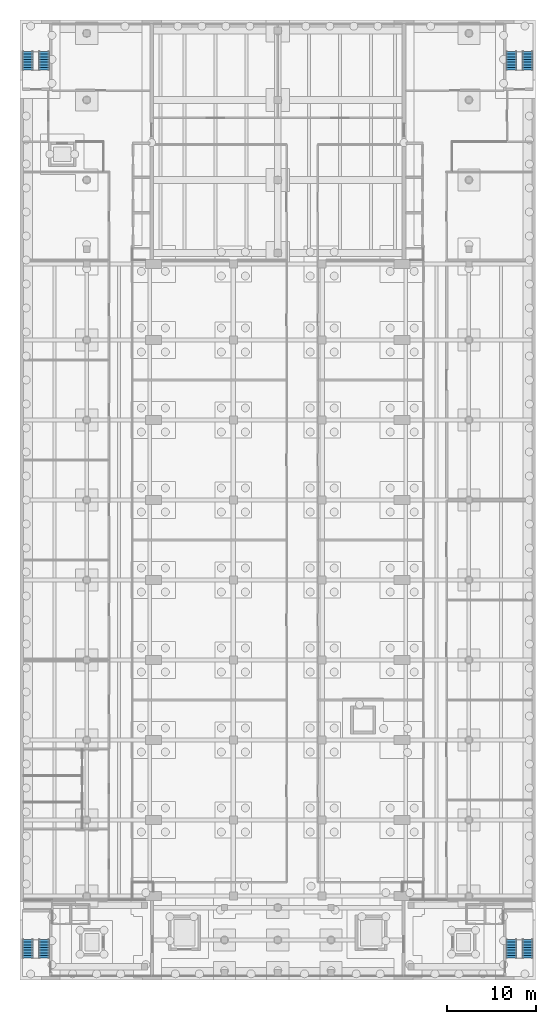
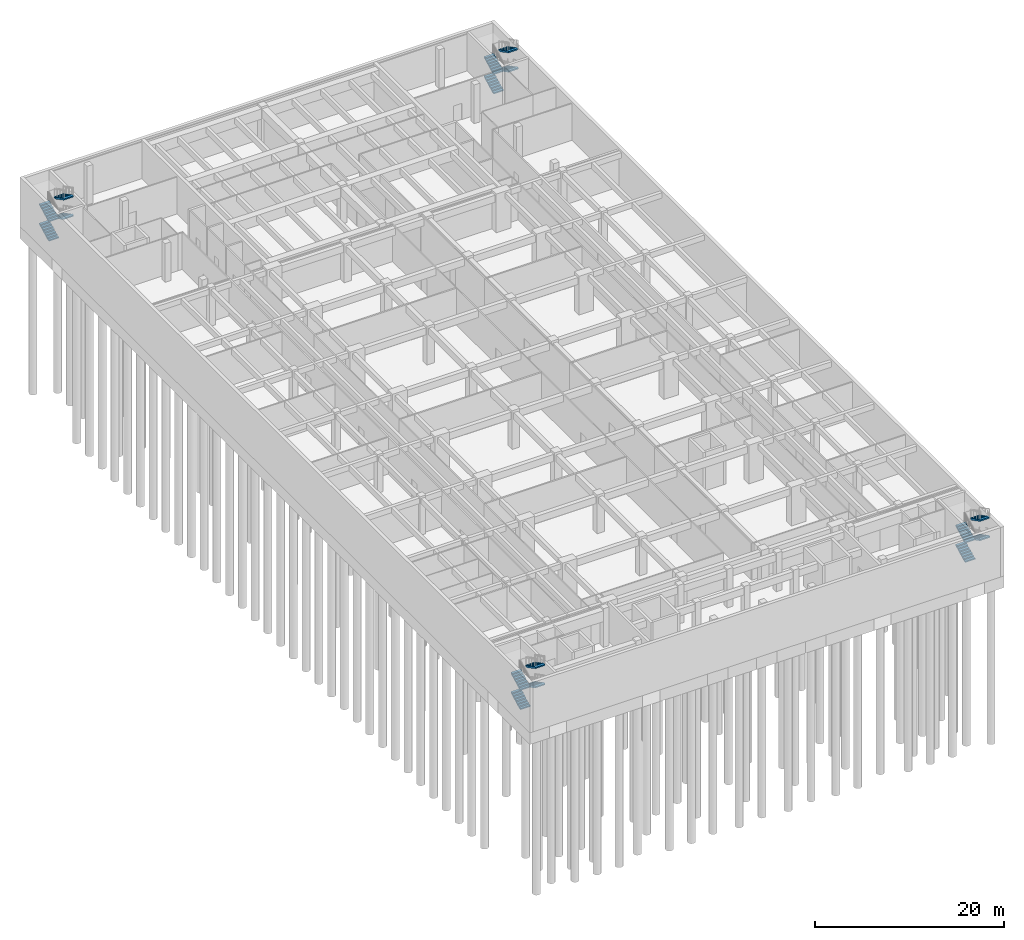
# One storey, part 16 of 19: 16 stair flights, 4 elements without a shape of their own.
"""IFC4 building model written with IfcOpenShell, lengths in metres."""

import ifcopenshell
import ifcopenshell.guid

model = None  # the IFC model being written
_history = None  # IfcOwnerHistory: only IFC2X3 demands one
_inside = {}  # id of a spatial element -> (the spatial element, [elements in it])
_under = {}  # id of a project, library or spatial element -> (it, [spatial elements below it])
_declared = {}  # id of a project -> (the project, [libraries it declares])
_typed = {}  # id of a type object -> (the type object, [elements of that type])
_made_of = {}  # id of a material, layer set ... -> (it, [elements and type objects made of it])


def new_model(schema):
    """Start an empty IFC model of exactly this schema.

    Asked for "IFC4X3", IfcOpenShell would pick the latest addendum, in which some entities
    have other attributes; the version numbers below select the first issue.
    IFC2X3 requires an IfcOwnerHistory on every rooted entity: one is made here for all.
    """
    global model, _history
    if schema == "IFC4X3":
        model = ifcopenshell.file(schema_version=(4, 3, 0, 0))
    else:
        model = ifcopenshell.file(schema=schema)
    _inside.clear()
    _under.clear()
    _declared.clear()
    _typed.clear()
    _made_of.clear()
    _history = None
    if model.schema == "IFC2X3":
        org = make("IfcOrganization", Name="unknown")
        user = make(
            "IfcPersonAndOrganization",
            ThePerson=make("IfcPerson", FamilyName="unknown"),
            TheOrganization=org,
        )
        app = make(
            "IfcApplication",
            ApplicationDeveloper=org,
            Version="unknown",
            ApplicationFullName="unknown",
            ApplicationIdentifier="unknown",
        )
        _history = make(
            "IfcOwnerHistory",
            OwningUser=user,
            OwningApplication=app,
            ChangeAction="ADDED",
            CreationDate=0,
        )
    return model


def make(cls, **values):
    """One entity of the class cls with the attributes given. An attribute that is None is left unset."""
    return model.create_entity(
        cls, **{name: value for name, value in values.items() if value is not None}
    )


def rooted(cls, **values):
    """An entity with a GlobalId (a new one), such as an element, a storey or a relation."""
    return make(cls, GlobalId=ifcopenshell.guid.new(), OwnerHistory=_history, **values)


def si_unit(unit_type, name, prefix=None):
    """IfcSIUnit, for example si_unit("LENGTHUNIT", "METRE", prefix="MILLI")."""
    return make("IfcSIUnit", UnitType=unit_type, Prefix=prefix, Name=name)


def assignment(units):
    """IfcUnitAssignment: the units of a project."""
    return None if units is None else make("IfcUnitAssignment", Units=units)


def point(xyz):
    """IfcCartesianPoint."""
    return None if xyz is None else make("IfcCartesianPoint", Coordinates=xyz)


def direction(xyz):
    """IfcDirection."""
    return None if xyz is None else make("IfcDirection", DirectionRatios=xyz)


def frame(location, z_axis=None, x_axis=None):
    """IfcAxis2Placement3D, a coordinate frame: its origin and axes. An axis left out is left unset."""
    return make(
        "IfcAxis2Placement3D",
        Location=point(location),
        Axis=direction(z_axis),
        RefDirection=direction(x_axis),
    )


def origin():
    """The frame at (0, 0, 0) with its axes left unset."""
    return frame((0.0, 0.0, 0.0))


def place(relative_to, where):
    """IfcLocalPlacement: puts the frame where relative to a parent placement (None: the world)."""
    return make(
        "IfcLocalPlacement", PlacementRelTo=relative_to, RelativePlacement=where
    )


def context(
    kind, dimensions, precision=None, world=None, true_north=None, identifier=None
):
    """IfcGeometricRepresentationContext, for example the 3D "Model" context."""
    return make(
        "IfcGeometricRepresentationContext",
        ContextIdentifier=identifier,
        ContextType=kind,
        CoordinateSpaceDimension=dimensions,
        Precision=precision,
        WorldCoordinateSystem=world,
        TrueNorth=true_north,
    )


def subcontext(parent, identifier, kind, view, scale=None):
    """IfcGeometricRepresentationSubContext, for example "Body" below "Model"."""
    return make(
        "IfcGeometricRepresentationSubContext",
        ContextIdentifier=identifier,
        ContextType=kind,
        ParentContext=parent,
        TargetScale=scale,
        TargetView=view,
    )


def project(units=None, contexts=None):
    """IfcProject with its units and contexts."""
    return rooted(
        "IfcProject",
        Name="project",
        RepresentationContexts=contexts,
        UnitsInContext=assignment(units),
    )


def spatial(cls, under=None, at=None, **own):
    """A site, building, storey or space (cls), placed at a placement, below another one or the project."""
    s = rooted(cls, ObjectPlacement=at, **own)
    if under is not None:
        _under.setdefault(under.id(), (under, []))[1].append(s)
    return s


def polyline(points):
    """IfcPolyline through the points."""
    return make("IfcPolyline", Points=[point(p) for p in points])


def outline(outer, holes=None, kind="AREA"):
    """IfcArbitraryClosedProfileDef: a profile drawn as a closed curve; with holes, ...WithVoids."""
    if holes is None:
        return make("IfcArbitraryClosedProfileDef", ProfileType=kind, OuterCurve=outer)
    return make(
        "IfcArbitraryProfileDefWithVoids",
        ProfileType=kind,
        OuterCurve=outer,
        InnerCurves=holes,
    )


def extrude(swept, where, along, depth):
    """IfcExtrudedAreaSolid: the profile swept, set in the frame where, extruded along a direction by depth."""
    return make(
        "IfcExtrudedAreaSolid",
        SweptArea=swept,
        Position=where,
        ExtrudedDirection=direction(along),
        Depth=depth,
    )


def shape(context_of_items, identifier, shape_type, items):
    """IfcShapeRepresentation: the items that make up one representation, for example the "Body"."""
    return make(
        "IfcShapeRepresentation",
        ContextOfItems=context_of_items,
        RepresentationIdentifier=identifier,
        RepresentationType=shape_type,
        Items=items,
    )


def material(Name=None, Category=None):
    """IfcMaterial."""
    return make("IfcMaterial", Name=Name, Category=Category)


def made_of(thing, what):
    """Note that an element or type object is made of a material, layer set ...; save() writes the relation."""
    if what is not None:
        _made_of.setdefault(what.id(), (what, []))[1].append(thing)
    return thing


def type_object(cls, material=None, **own):
    """A type object (cls), such as IfcWallType, which elements share."""
    return made_of(rooted(cls, **own), material)


def element(
    cls,
    number,
    at=None,
    inside=None,
    cuts=None,
    type_object=None,
    material=None,
    context=None,
    identifier="Body",
    shape_type=None,
    held_by="IfcProductDefinitionShape",
    body=None,
    shapes=None,
    **own,
):
    """One element of the class cls, such as IfcWall. Its Tag is "e" and its number.

    at: its placement. inside: the storey or other place that contains it. cuts: it is an
    opening in that element (IfcRelVoidsElement). A single representation is given by context,
    identifier, shape_type and body (its items); several are given by shapes. held_by: the class
    of the entity that holds the representations. save() writes the other relations.
    """
    e = rooted(cls, Tag="e%d" % number, ObjectPlacement=at, **own)
    if body is not None:
        shapes = [shape(context, identifier, shape_type, body)]
    if shapes is not None:
        e.Representation = make(held_by, Representations=shapes)
    if inside is not None:
        _inside.setdefault(inside.id(), (inside, []))[1].append(e)
    if cuts is not None:
        rooted(
            "IfcRelVoidsElement", RelatingBuildingElement=cuts, RelatedOpeningElement=e
        )
    if type_object is not None:
        _typed.setdefault(type_object.id(), (type_object, []))[1].append(e)
    return made_of(e, material)


def aggregate(whole, parts):
    """IfcRelAggregates: a whole, such as a stair, and the parts it consists of."""
    return rooted("IfcRelAggregates", RelatingObject=whole, RelatedObjects=parts)


def save(model, path):
    """Write the relations noted so far, then the file.

    IfcRelAggregates (storeys below a building ...), IfcRelContainedInSpatialStructure (elements
    in a storey), IfcRelDefinesByType, IfcRelAssociatesMaterial and IfcRelDeclares: one each for
    every whole, place, type object, material and project.
    """
    for whole, parts in _under.values():
        aggregate(whole, parts)
    for where, things in _inside.values():
        rooted(
            "IfcRelContainedInSpatialStructure",
            RelatedElements=things,
            RelatingStructure=where,
        )
    for kind, things in _typed.values():
        rooted("IfcRelDefinesByType", RelatedObjects=things, RelatingType=kind)
    for what, things in _made_of.values():
        rooted("IfcRelAssociatesMaterial", RelatedObjects=things, RelatingMaterial=what)
    for by, libraries in _declared.values():
        rooted("IfcRelDeclares", RelatingContext=by, RelatedDefinitions=libraries)
    model.write(path)


model = new_model("IFC4")

# Units and contexts
model_context = context("Model", 3, precision=1e-05, world=origin(), true_north=direction((0.0, 1.0)))
body_context = subcontext(model_context, "Body", "Model", "MODEL_VIEW")
ifc_project = project(units=[si_unit("LENGTHUNIT", "METRE"), si_unit("AREAUNIT", "SQUARE_METRE"), si_unit("VOLUMEUNIT", "CUBIC_METRE"), si_unit("PLANEANGLEUNIT", "RADIAN"), si_unit("MASSUNIT", "GRAM", prefix="KILO")], contexts=[model_context])

# Site, building, storey
site_placement = place(None, origin())
site = spatial("IfcSite", under=ifc_project, at=site_placement, CompositionType="ELEMENT")
building_placement = place(site_placement, origin())
building = spatial("IfcBuilding", under=site, at=building_placement, Name="Elmora Arch Market Hall", CompositionType="ELEMENT")
storey_placement = place(building_placement, frame((0.0, 0.0, -10.0)))
storey = spatial("IfcBuildingStorey", under=building, at=storey_placement, Name="B1", CompositionType="ELEMENT", Elevation=-10.0)

# Stair, stair flights
ifc_material_1 = material(Name="Concrete C40/50", Category="concrete")
stair_type = type_object("IfcStairType", Name="Exit stair 1200", PredefinedType="TWO_STRAIGHT_RUN_STAIR", material=ifc_material_1)
stair_1_placement = place(storey_placement, origin())
stair_1 = element("IfcStair", 1, at=stair_1_placement, inside=storey, type_object=stair_type, Name="Stair ST-W B1", PredefinedType="TWO_STRAIGHT_RUN_STAIR")
ifc_material_2 = material(Name="Concrete C40/50", Category="concrete")
stair_flight_type = type_object("IfcStairFlightType", Name="Stair flight 1200", PredefinedType="STRAIGHT", material=ifc_material_2)
stair_flight_1_placement = place(storey_placement, frame((0.89990234375, 120.35009765625, 0.0), z_axis=(0.0, 0.0, 1.0), x_axis=(0.0, 1.0, 0.0)))
stair_flight_1 = element("IfcStairFlight", 2, at=stair_flight_1_placement, type_object=stair_flight_type, Name="Stair ST-W B1 flight 1", NumberOfRisers=8, NumberOfTreads=7, PredefinedType="STRAIGHT", RiserHeight=0.15625, TreadLength=0.3, context=body_context, shape_type="SweptSolid", body=[
    extrude(outline(polyline([(0.0, 0.0), (0.0, 0.15625), (0.300048828125, 0.15625), (0.300048828125, 0.3125), (0.60009765625, 0.3125), (0.60009765625, 0.46875), (0.89990234375, 0.46875), (0.89990234375, 0.625), (1.199951171875, 0.625), (1.199951171875, 0.78125), (1.5, 0.78125), (1.5, 0.9375), (1.800048828125, 0.9375), (1.800048828125, 1.09375), (2.10009765625, 1.09375), (2.10009765625, 1.25), (2.10009765625, 0.9248046875), (0.324462890625, 0.0), (0.0, 0.0)])), frame((0.0, 0.60009765625, 0.0), z_axis=(0.0, -1.0, 0.0), x_axis=(1.0, 0.0, 0.0)), (0.0, 0.0, 1.0), 1.199951171875),
])
stair_flight_2_placement = place(storey_placement, frame((2.699951171875, 122.449951171875, 1.25), z_axis=(0.0, 0.0, 1.0), x_axis=(0.0, -1.0, 0.0)))
stair_flight_2 = element("IfcStairFlight", 3, at=stair_flight_2_placement, type_object=stair_flight_type, Name="Stair ST-W B1 flight 2", NumberOfRisers=8, NumberOfTreads=7, PredefinedType="STRAIGHT", RiserHeight=0.15625, TreadLength=0.3, context=body_context, shape_type="SweptSolid", body=[
    extrude(outline(polyline([(0.0, 0.0), (0.0, 0.15625), (0.300048828125, 0.15625), (0.300048828125, 0.3125), (0.60009765625, 0.3125), (0.60009765625, 0.46875), (0.89990234375, 0.46875), (0.89990234375, 0.625), (1.199951171875, 0.625), (1.199951171875, 0.78125), (1.5, 0.78125), (1.5, 0.9375), (1.800048828125, 0.9375), (1.800048828125, 1.09375), (2.10009765625, 1.09375), (2.10009765625, 1.25), (2.10009765625, 0.9248046875), (0.324462890625, 0.0), (0.0, 0.0)])), frame((0.0, 0.60009765625, 0.0), z_axis=(0.0, -1.0, 0.0), x_axis=(1.0, 0.0, 0.0)), (0.0, 0.0, 1.0), 1.199951171875),
])
stair_flight_3_placement = place(storey_placement, frame((0.89990234375, 120.35009765625, 2.5), z_axis=(0.0, 0.0, 1.0), x_axis=(0.0, 1.0, 0.0)))
stair_flight_3 = element("IfcStairFlight", 4, at=stair_flight_3_placement, type_object=stair_flight_type, Name="Stair ST-W B1 flight 3", NumberOfRisers=8, NumberOfTreads=7, PredefinedType="STRAIGHT", RiserHeight=0.15625, TreadLength=0.3, context=body_context, shape_type="SweptSolid", body=[
    extrude(outline(polyline([(0.0, 0.0), (0.0, 0.15625), (0.300048828125, 0.15625), (0.300048828125, 0.3125), (0.60009765625, 0.3125), (0.60009765625, 0.46875), (0.89990234375, 0.46875), (0.89990234375, 0.625), (1.199951171875, 0.625), (1.199951171875, 0.78125), (1.5, 0.78125), (1.5, 0.9375), (1.800048828125, 0.9375), (1.800048828125, 1.09375), (2.10009765625, 1.09375), (2.10009765625, 1.25), (2.10009765625, 0.9248046875), (0.324462890625, 0.0), (0.0, 0.0)])), frame((0.0, 0.60009765625, 0.0), z_axis=(0.0, -1.0, 0.0), x_axis=(1.0, 0.0, 0.0)), (0.0, 0.0, 1.0), 1.199951171875),
])
stair_flight_4_placement = place(storey_placement, frame((2.699951171875, 122.449951171875, 3.75), z_axis=(0.0, 0.0, 1.0), x_axis=(0.0, -1.0, 0.0)))
stair_flight_4 = element("IfcStairFlight", 5, at=stair_flight_4_placement, type_object=stair_flight_type, Name="Stair ST-W B1 flight 4", NumberOfRisers=8, NumberOfTreads=7, PredefinedType="STRAIGHT", RiserHeight=0.15625, TreadLength=0.3, context=body_context, shape_type="SweptSolid", body=[
    extrude(outline(polyline([(0.0, 0.0), (0.0, 0.15625), (0.300048828125, 0.15625), (0.300048828125, 0.3125), (0.60009765625, 0.3125), (0.60009765625, 0.46875), (0.89990234375, 0.46875), (0.89990234375, 0.625), (1.199951171875, 0.625), (1.199951171875, 0.78125), (1.5, 0.78125), (1.5, 0.9375), (1.800048828125, 0.9375), (1.800048828125, 1.09375), (2.10009765625, 1.09375), (2.10009765625, 1.25), (2.10009765625, 0.9248046875), (0.324462890625, 0.0), (0.0, 0.0)])), frame((0.0, 0.60009765625, 0.0), z_axis=(0.0, -1.0, 0.0), x_axis=(1.0, 0.0, 0.0)), (0.0, 0.0, 1.0), 1.199951171875),
])
aggregate(stair_1, [stair_flight_1, stair_flight_2, stair_flight_3, stair_flight_4])

stair_2_placement = place(storey_placement, origin())
stair_2 = element("IfcStair", 6, at=stair_2_placement, inside=storey, type_object=stair_type, Name="Stair ST-E B1", PredefinedType="TWO_STRAIGHT_RUN_STAIR")
stair_flight_5_placement = place(storey_placement, frame((55.300048828125, 120.35009765625, 0.0), z_axis=(0.0, 0.0, 1.0), x_axis=(0.0, 1.0, 0.0)))
stair_flight_5 = element("IfcStairFlight", 7, at=stair_flight_5_placement, type_object=stair_flight_type, Name="Stair ST-E B1 flight 1", NumberOfRisers=8, NumberOfTreads=7, PredefinedType="STRAIGHT", RiserHeight=0.15625, TreadLength=0.3, context=body_context, shape_type="SweptSolid", body=[
    extrude(outline(polyline([(0.0, 0.0), (0.0, 0.15625), (0.300048828125, 0.15625), (0.300048828125, 0.3125), (0.60009765625, 0.3125), (0.60009765625, 0.46875), (0.89990234375, 0.46875), (0.89990234375, 0.625), (1.199951171875, 0.625), (1.199951171875, 0.78125), (1.5, 0.78125), (1.5, 0.9375), (1.800048828125, 0.9375), (1.800048828125, 1.09375), (2.10009765625, 1.09375), (2.10009765625, 1.25), (2.10009765625, 0.9248046875), (0.324462890625, 0.0), (0.0, 0.0)])), frame((0.0, 0.60009765625, 0.0), z_axis=(0.0, -1.0, 0.0), x_axis=(1.0, 0.0, 0.0)), (0.0, 0.0, 1.0), 1.199951171875),
])
stair_flight_6_placement = place(storey_placement, frame((57.10009765625, 122.449951171875, 1.25), z_axis=(0.0, 0.0, 1.0), x_axis=(0.0, -1.0, 0.0)))
stair_flight_6 = element("IfcStairFlight", 8, at=stair_flight_6_placement, type_object=stair_flight_type, Name="Stair ST-E B1 flight 2", NumberOfRisers=8, NumberOfTreads=7, PredefinedType="STRAIGHT", RiserHeight=0.15625, TreadLength=0.3, context=body_context, shape_type="SweptSolid", body=[
    extrude(outline(polyline([(0.0, 0.0), (0.0, 0.15625), (0.300048828125, 0.15625), (0.300048828125, 0.3125), (0.60009765625, 0.3125), (0.60009765625, 0.46875), (0.89990234375, 0.46875), (0.89990234375, 0.625), (1.199951171875, 0.625), (1.199951171875, 0.78125), (1.5, 0.78125), (1.5, 0.9375), (1.800048828125, 0.9375), (1.800048828125, 1.09375), (2.10009765625, 1.09375), (2.10009765625, 1.25), (2.10009765625, 0.9248046875), (0.324462890625, 0.0), (0.0, 0.0)])), frame((0.0, 0.60009765625, 0.0), z_axis=(0.0, -1.0, 0.0), x_axis=(1.0, 0.0, 0.0)), (0.0, 0.0, 1.0), 1.199951171875),
])
stair_flight_7_placement = place(storey_placement, frame((55.300048828125, 120.35009765625, 2.5), z_axis=(0.0, 0.0, 1.0), x_axis=(0.0, 1.0, 0.0)))
stair_flight_7 = element("IfcStairFlight", 9, at=stair_flight_7_placement, type_object=stair_flight_type, Name="Stair ST-E B1 flight 3", NumberOfRisers=8, NumberOfTreads=7, PredefinedType="STRAIGHT", RiserHeight=0.15625, TreadLength=0.3, context=body_context, shape_type="SweptSolid", body=[
    extrude(outline(polyline([(0.0, 0.0), (0.0, 0.15625), (0.300048828125, 0.15625), (0.300048828125, 0.3125), (0.60009765625, 0.3125), (0.60009765625, 0.46875), (0.89990234375, 0.46875), (0.89990234375, 0.625), (1.199951171875, 0.625), (1.199951171875, 0.78125), (1.5, 0.78125), (1.5, 0.9375), (1.800048828125, 0.9375), (1.800048828125, 1.09375), (2.10009765625, 1.09375), (2.10009765625, 1.25), (2.10009765625, 0.9248046875), (0.324462890625, 0.0), (0.0, 0.0)])), frame((0.0, 0.60009765625, 0.0), z_axis=(0.0, -1.0, 0.0), x_axis=(1.0, 0.0, 0.0)), (0.0, 0.0, 1.0), 1.199951171875),
])
stair_flight_8_placement = place(storey_placement, frame((57.10009765625, 122.449951171875, 3.75), z_axis=(0.0, 0.0, 1.0), x_axis=(0.0, -1.0, 0.0)))
stair_flight_8 = element("IfcStairFlight", 10, at=stair_flight_8_placement, type_object=stair_flight_type, Name="Stair ST-E B1 flight 4", NumberOfRisers=8, NumberOfTreads=7, PredefinedType="STRAIGHT", RiserHeight=0.15625, TreadLength=0.3, context=body_context, shape_type="SweptSolid", body=[
    extrude(outline(polyline([(0.0, 0.0), (0.0, 0.15625), (0.300048828125, 0.15625), (0.300048828125, 0.3125), (0.60009765625, 0.3125), (0.60009765625, 0.46875), (0.89990234375, 0.46875), (0.89990234375, 0.625), (1.199951171875, 0.625), (1.199951171875, 0.78125), (1.5, 0.78125), (1.5, 0.9375), (1.800048828125, 0.9375), (1.800048828125, 1.09375), (2.10009765625, 1.09375), (2.10009765625, 1.25), (2.10009765625, 0.9248046875), (0.324462890625, 0.0), (0.0, 0.0)])), frame((0.0, 0.60009765625, 0.0), z_axis=(0.0, -1.0, 0.0), x_axis=(1.0, 0.0, 0.0)), (0.0, 0.0, 1.0), 1.199951171875),
])
aggregate(stair_2, [stair_flight_5, stair_flight_6, stair_flight_7, stair_flight_8])

stair_3_placement = place(storey_placement, origin())
stair_3 = element("IfcStair", 11, at=stair_3_placement, inside=storey, type_object=stair_type, Name="Stair ST-WS B1", PredefinedType="TWO_STRAIGHT_RUN_STAIR")
stair_flight_9_placement = place(storey_placement, frame((0.89990234375, 20.449951171875, 0.0), z_axis=(0.0, 0.0, 1.0), x_axis=(0.0, 1.0, 0.0)))
stair_flight_9 = element("IfcStairFlight", 12, at=stair_flight_9_placement, type_object=stair_flight_type, Name="Stair ST-WS B1 flight 1", NumberOfRisers=8, NumberOfTreads=7, PredefinedType="STRAIGHT", RiserHeight=0.15625, TreadLength=0.3, context=body_context, shape_type="SweptSolid", body=[
    extrude(outline(polyline([(0.0, 0.0), (0.0, 0.15625), (0.300048828125, 0.15625), (0.300048828125, 0.3125), (0.60009765625, 0.3125), (0.60009765625, 0.46875), (0.89990234375, 0.46875), (0.89990234375, 0.625), (1.199951171875, 0.625), (1.199951171875, 0.78125), (1.5, 0.78125), (1.5, 0.9375), (1.800048828125, 0.9375), (1.800048828125, 1.09375), (2.10009765625, 1.09375), (2.10009765625, 1.25), (2.10009765625, 0.9248046875), (0.324462890625, 0.0), (0.0, 0.0)])), frame((0.0, 0.60009765625, 0.0), z_axis=(0.0, -1.0, 0.0), x_axis=(1.0, 0.0, 0.0)), (0.0, 0.0, 1.0), 1.199951171875),
])
stair_flight_10_placement = place(storey_placement, frame((2.699951171875, 22.550048828125, 1.25), z_axis=(0.0, 0.0, 1.0), x_axis=(0.0, -1.0, 0.0)))
stair_flight_10 = element("IfcStairFlight", 13, at=stair_flight_10_placement, type_object=stair_flight_type, Name="Stair ST-WS B1 flight 2", NumberOfRisers=8, NumberOfTreads=7, PredefinedType="STRAIGHT", RiserHeight=0.15625, TreadLength=0.3, context=body_context, shape_type="SweptSolid", body=[
    extrude(outline(polyline([(0.0, 0.0), (0.0, 0.15625), (0.300048828125, 0.15625), (0.300048828125, 0.3125), (0.60009765625, 0.3125), (0.60009765625, 0.46875), (0.89990234375, 0.46875), (0.89990234375, 0.625), (1.199951171875, 0.625), (1.199951171875, 0.78125), (1.5, 0.78125), (1.5, 0.9375), (1.800048828125, 0.9375), (1.800048828125, 1.09375), (2.10009765625, 1.09375), (2.10009765625, 1.25), (2.10009765625, 0.9248046875), (0.324462890625, 0.0), (0.0, 0.0)])), frame((0.0, 0.60009765625, 0.0), z_axis=(0.0, -1.0, 0.0), x_axis=(1.0, 0.0, 0.0)), (0.0, 0.0, 1.0), 1.199951171875),
])
stair_flight_11_placement = place(storey_placement, frame((0.89990234375, 20.449951171875, 2.5), z_axis=(0.0, 0.0, 1.0), x_axis=(0.0, 1.0, 0.0)))
stair_flight_11 = element("IfcStairFlight", 14, at=stair_flight_11_placement, type_object=stair_flight_type, Name="Stair ST-WS B1 flight 3", NumberOfRisers=8, NumberOfTreads=7, PredefinedType="STRAIGHT", RiserHeight=0.15625, TreadLength=0.3, context=body_context, shape_type="SweptSolid", body=[
    extrude(outline(polyline([(0.0, 0.0), (0.0, 0.15625), (0.300048828125, 0.15625), (0.300048828125, 0.3125), (0.60009765625, 0.3125), (0.60009765625, 0.46875), (0.89990234375, 0.46875), (0.89990234375, 0.625), (1.199951171875, 0.625), (1.199951171875, 0.78125), (1.5, 0.78125), (1.5, 0.9375), (1.800048828125, 0.9375), (1.800048828125, 1.09375), (2.10009765625, 1.09375), (2.10009765625, 1.25), (2.10009765625, 0.9248046875), (0.324462890625, 0.0), (0.0, 0.0)])), frame((0.0, 0.60009765625, 0.0), z_axis=(0.0, -1.0, 0.0), x_axis=(1.0, 0.0, 0.0)), (0.0, 0.0, 1.0), 1.199951171875),
])
stair_flight_12_placement = place(storey_placement, frame((2.699951171875, 22.550048828125, 3.75), z_axis=(0.0, 0.0, 1.0), x_axis=(0.0, -1.0, 0.0)))
stair_flight_12 = element("IfcStairFlight", 15, at=stair_flight_12_placement, type_object=stair_flight_type, Name="Stair ST-WS B1 flight 4", NumberOfRisers=8, NumberOfTreads=7, PredefinedType="STRAIGHT", RiserHeight=0.15625, TreadLength=0.3, context=body_context, shape_type="SweptSolid", body=[
    extrude(outline(polyline([(0.0, 0.0), (0.0, 0.15625), (0.300048828125, 0.15625), (0.300048828125, 0.3125), (0.60009765625, 0.3125), (0.60009765625, 0.46875), (0.89990234375, 0.46875), (0.89990234375, 0.625), (1.199951171875, 0.625), (1.199951171875, 0.78125), (1.5, 0.78125), (1.5, 0.9375), (1.800048828125, 0.9375), (1.800048828125, 1.09375), (2.10009765625, 1.09375), (2.10009765625, 1.25), (2.10009765625, 0.9248046875), (0.324462890625, 0.0), (0.0, 0.0)])), frame((0.0, 0.60009765625, 0.0), z_axis=(0.0, -1.0, 0.0), x_axis=(1.0, 0.0, 0.0)), (0.0, 0.0, 1.0), 1.199951171875),
])
aggregate(stair_3, [stair_flight_9, stair_flight_10, stair_flight_11, stair_flight_12])

stair_4_placement = place(storey_placement, origin())
stair_4 = element("IfcStair", 16, at=stair_4_placement, inside=storey, type_object=stair_type, Name="Stair ST-ES B1", PredefinedType="TWO_STRAIGHT_RUN_STAIR")
stair_flight_13_placement = place(storey_placement, frame((55.300048828125, 20.449951171875, 0.0), z_axis=(0.0, 0.0, 1.0), x_axis=(0.0, 1.0, 0.0)))
stair_flight_13 = element("IfcStairFlight", 17, at=stair_flight_13_placement, type_object=stair_flight_type, Name="Stair ST-ES B1 flight 1", NumberOfRisers=8, NumberOfTreads=7, PredefinedType="STRAIGHT", RiserHeight=0.15625, TreadLength=0.3, context=body_context, shape_type="SweptSolid", body=[
    extrude(outline(polyline([(0.0, 0.0), (0.0, 0.15625), (0.300048828125, 0.15625), (0.300048828125, 0.3125), (0.60009765625, 0.3125), (0.60009765625, 0.46875), (0.89990234375, 0.46875), (0.89990234375, 0.625), (1.199951171875, 0.625), (1.199951171875, 0.78125), (1.5, 0.78125), (1.5, 0.9375), (1.800048828125, 0.9375), (1.800048828125, 1.09375), (2.10009765625, 1.09375), (2.10009765625, 1.25), (2.10009765625, 0.9248046875), (0.324462890625, 0.0), (0.0, 0.0)])), frame((0.0, 0.60009765625, 0.0), z_axis=(0.0, -1.0, 0.0), x_axis=(1.0, 0.0, 0.0)), (0.0, 0.0, 1.0), 1.199951171875),
])
stair_flight_14_placement = place(storey_placement, frame((57.10009765625, 22.550048828125, 1.25), z_axis=(0.0, 0.0, 1.0), x_axis=(0.0, -1.0, 0.0)))
stair_flight_14 = element("IfcStairFlight", 18, at=stair_flight_14_placement, type_object=stair_flight_type, Name="Stair ST-ES B1 flight 2", NumberOfRisers=8, NumberOfTreads=7, PredefinedType="STRAIGHT", RiserHeight=0.15625, TreadLength=0.3, context=body_context, shape_type="SweptSolid", body=[
    extrude(outline(polyline([(0.0, 0.0), (0.0, 0.15625), (0.300048828125, 0.15625), (0.300048828125, 0.3125), (0.60009765625, 0.3125), (0.60009765625, 0.46875), (0.89990234375, 0.46875), (0.89990234375, 0.625), (1.199951171875, 0.625), (1.199951171875, 0.78125), (1.5, 0.78125), (1.5, 0.9375), (1.800048828125, 0.9375), (1.800048828125, 1.09375), (2.10009765625, 1.09375), (2.10009765625, 1.25), (2.10009765625, 0.9248046875), (0.324462890625, 0.0), (0.0, 0.0)])), frame((0.0, 0.60009765625, 0.0), z_axis=(0.0, -1.0, 0.0), x_axis=(1.0, 0.0, 0.0)), (0.0, 0.0, 1.0), 1.199951171875),
])
stair_flight_15_placement = place(storey_placement, frame((55.300048828125, 20.449951171875, 2.5), z_axis=(0.0, 0.0, 1.0), x_axis=(0.0, 1.0, 0.0)))
stair_flight_15 = element("IfcStairFlight", 19, at=stair_flight_15_placement, type_object=stair_flight_type, Name="Stair ST-ES B1 flight 3", NumberOfRisers=8, NumberOfTreads=7, PredefinedType="STRAIGHT", RiserHeight=0.15625, TreadLength=0.3, context=body_context, shape_type="SweptSolid", body=[
    extrude(outline(polyline([(0.0, 0.0), (0.0, 0.15625), (0.300048828125, 0.15625), (0.300048828125, 0.3125), (0.60009765625, 0.3125), (0.60009765625, 0.46875), (0.89990234375, 0.46875), (0.89990234375, 0.625), (1.199951171875, 0.625), (1.199951171875, 0.78125), (1.5, 0.78125), (1.5, 0.9375), (1.800048828125, 0.9375), (1.800048828125, 1.09375), (2.10009765625, 1.09375), (2.10009765625, 1.25), (2.10009765625, 0.9248046875), (0.324462890625, 0.0), (0.0, 0.0)])), frame((0.0, 0.60009765625, 0.0), z_axis=(0.0, -1.0, 0.0), x_axis=(1.0, 0.0, 0.0)), (0.0, 0.0, 1.0), 1.199951171875),
])
stair_flight_16_placement = place(storey_placement, frame((57.10009765625, 22.550048828125, 3.75), z_axis=(0.0, 0.0, 1.0), x_axis=(0.0, -1.0, 0.0)))
stair_flight_16 = element("IfcStairFlight", 20, at=stair_flight_16_placement, type_object=stair_flight_type, Name="Stair ST-ES B1 flight 4", NumberOfRisers=8, NumberOfTreads=7, PredefinedType="STRAIGHT", RiserHeight=0.15625, TreadLength=0.3, context=body_context, shape_type="SweptSolid", body=[
    extrude(outline(polyline([(0.0, 0.0), (0.0, 0.15625), (0.300048828125, 0.15625), (0.300048828125, 0.3125), (0.60009765625, 0.3125), (0.60009765625, 0.46875), (0.89990234375, 0.46875), (0.89990234375, 0.625), (1.199951171875, 0.625), (1.199951171875, 0.78125), (1.5, 0.78125), (1.5, 0.9375), (1.800048828125, 0.9375), (1.800048828125, 1.09375), (2.10009765625, 1.09375), (2.10009765625, 1.25), (2.10009765625, 0.9248046875), (0.324462890625, 0.0), (0.0, 0.0)])), frame((0.0, 0.60009765625, 0.0), z_axis=(0.0, -1.0, 0.0), x_axis=(1.0, 0.0, 0.0)), (0.0, 0.0, 1.0), 1.199951171875),
])
aggregate(stair_4, [stair_flight_13, stair_flight_14, stair_flight_15, stair_flight_16])

save(model, "model.ifc")
